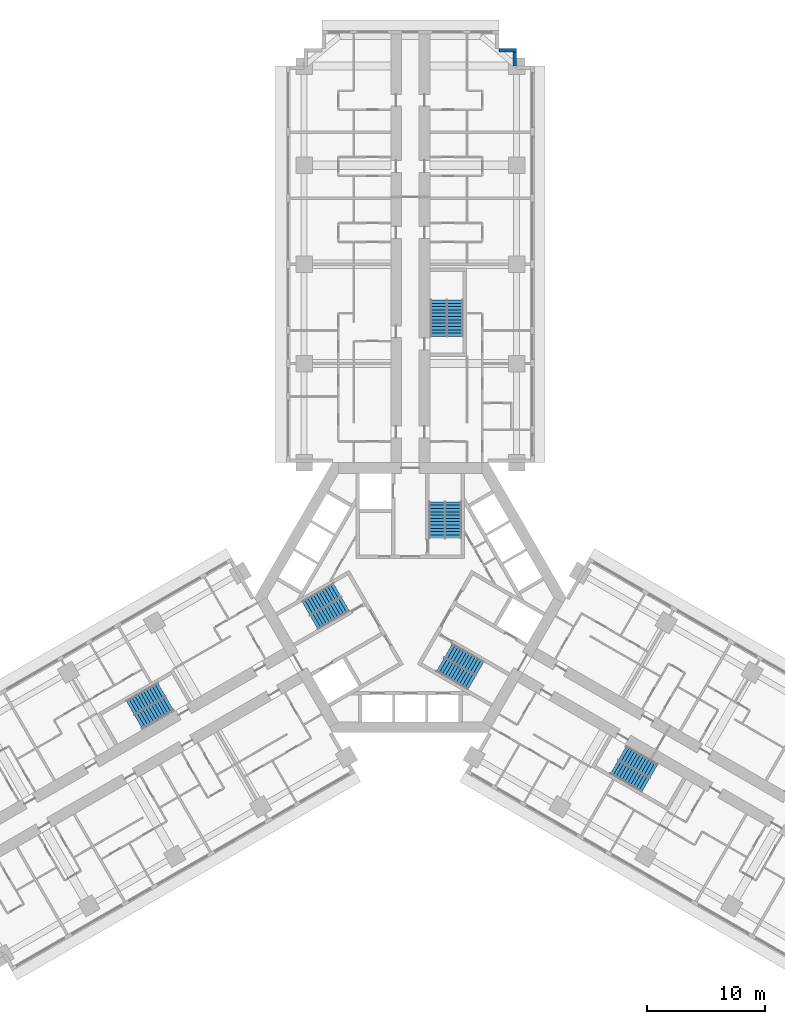
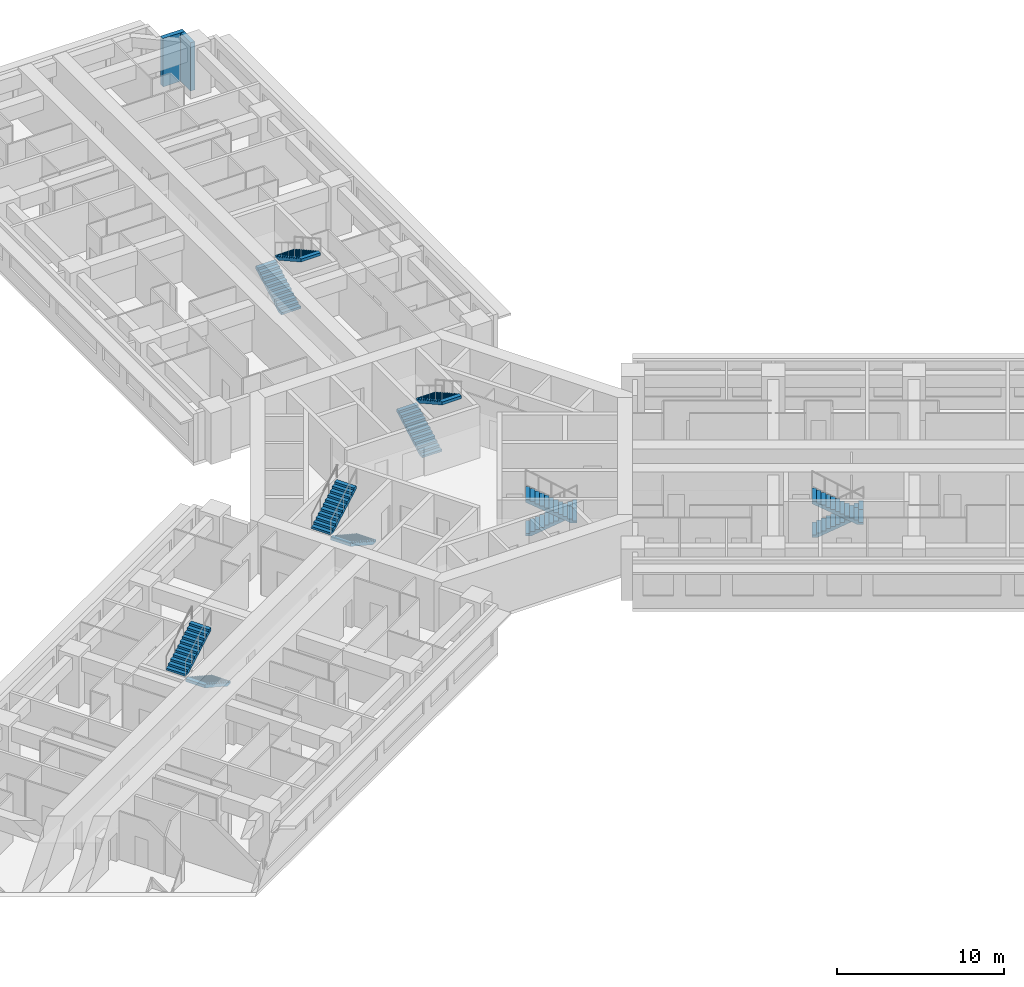
# One storey, part 15 of 16: 12 stair flights, 2 walls, 6 elements without a shape of their own.
"""IFC4 building model written with IfcOpenShell, lengths in metres."""

from ifc_helpers import new_model, si_unit, direction, frame, frame_2d, origin, place, context, subcontext, project, spatial, polyline, rectangle, outline, extrude, material, layer, layer_set, type_object, element, aggregate, save


model = new_model("IFC4")

# Units and contexts
model_context = context("Model", 3, precision=1e-05, world=origin(), true_north=direction((0.0, 1.0)))
body_context = subcontext(model_context, "Body", "Model", "MODEL_VIEW")
ifc_project = project(units=[si_unit("LENGTHUNIT", "METRE"), si_unit("AREAUNIT", "SQUARE_METRE"), si_unit("VOLUMEUNIT", "CUBIC_METRE"), si_unit("PLANEANGLEUNIT", "RADIAN"), si_unit("MASSUNIT", "GRAM", prefix="KILO")], contexts=[model_context])

# Site, building, storey
site_placement = place(None, origin())
site = spatial("IfcSite", under=ifc_project, at=site_placement, CompositionType="ELEMENT")
building_placement = place(site_placement, origin())
building = spatial("IfcBuilding", under=site, at=building_placement, Name="Impinga Residences", CompositionType="ELEMENT")
storey_placement = place(building_placement, frame((0.0, 0.0, 56.0)))
storey = spatial("IfcBuildingStorey", under=building, at=storey_placement, Name="L13", CompositionType="ELEMENT", Elevation=56.0)

# Walls
ifc_material_1 = material(Name="Terracotta rainscreen on blockwork", Category="masonry")
ifc_layer = layer(ifc_material_1, 0.300048828125)
ifc_layer_set = layer_set([ifc_layer], Name="EW1 external wall, terracotta rainscreen on blockwork 300")
wall_type = type_object("IfcWallType", Name="EW1 external wall, terracotta rainscreen on blockwork 300", PredefinedType="SOLIDWALL", material=ifc_layer_set)
wall_1_placement = place(storey_placement, frame((7.5, 46.381591796875, 0.0), z_axis=(0.0, 0.0, 1.0), x_axis=(1.0, 0.0, 0.0)))
element("IfcWall", 1, at=wall_1_placement, inside=storey, type_object=wall_type, Name="External wall EW1 L13", PredefinedType="SOLIDWALL", context=body_context, shape_type="SweptSolid", body=[
    extrude(rectangle(XDim=1.5, YDim=0.300048828125, at=frame_2d((0.75, 0.0))), origin(), (0.0, 0.0, 1.0), 3.530029296875),
])
wall_2_placement = place(storey_placement, frame((8.85009765625, 46.2314453125, 0.0), z_axis=(0.0, 0.0, 1.0), x_axis=(0.0, -1.0, 0.0)))
element("IfcWall", 2, at=wall_2_placement, inside=storey, type_object=wall_type, Name="External wall EW1 L13", PredefinedType="SOLIDWALL", context=body_context, shape_type="SweptSolid", body=[
    extrude(rectangle(XDim=1.199951171875, YDim=0.300048828125, at=frame_2d((0.60009765625, 0.0))), origin(), (0.0, 0.0, 1.0), 3.530029296875),
])

# Stair, stair flights
ifc_material_2 = material(Name="Concrete C40/50", Category="concrete")
stair_type_1 = type_object("IfcStairType", Name="STR core stair 3750 storey, 24 risers", PredefinedType="HALF_TURN_STAIR", material=ifc_material_2)
stair_1_placement = place(storey_placement, origin())
stair_1 = element("IfcStair", 3, at=stair_1_placement, inside=storey, type_object=stair_type_1, Name="Stair ST1 L13", PredefinedType="HALF_TURN_STAIR")
stair_flight_type = type_object("IfcStairFlightType", Name="SF 12 risers of 156", PredefinedType="STRAIGHT", material=ifc_material_2)
stair_flight_1_placement = place(storey_placement, frame((2.27490234375, 5.030029296875, 0.0), z_axis=(0.0, 0.0, 1.0), x_axis=(0.0, 1.0, 0.0)))
stair_flight_1 = element("IfcStairFlight", 4, at=stair_flight_1_placement, type_object=stair_flight_type, Name="ST1 flight 1", NumberOfRisers=12, NumberOfTreads=11, PredefinedType="STRAIGHT", RiserHeight=0.15625, TreadLength=0.28, context=body_context, shape_type="SweptSolid", body=[
    extrude(outline(polyline([(0.0, 0.0), (0.0, 0.15625), (0.280029296875, 0.15625), (0.280029296875, 0.3125), (0.56005859375, 0.3125), (0.56005859375, 0.46875), (0.840087890625, 0.46875), (0.840087890625, 0.625), (1.1201171875, 0.625), (1.1201171875, 0.78125), (1.39990234375, 0.78125), (1.39990234375, 0.9375), (1.679931640625, 0.9375), (1.679931640625, 1.09375), (1.9599609375, 1.09375), (1.9599609375, 1.25), (2.239990234375, 1.25), (2.239990234375, 1.40625), (2.52001953125, 1.40625), (2.52001953125, 1.5625), (2.800048828125, 1.5625), (2.800048828125, 1.71875), (3.080078125, 1.71875), (3.080078125, 1.875), (3.080078125, 1.5126953125), (0.369140625, 0.0), (0.0, 0.0)])), frame((0.0, 0.675048828125, 0.0), z_axis=(0.0, -1.0, 0.0), x_axis=(1.0, 0.0, 0.0)), (0.0, 0.0, 1.0), 1.35009765625),
])
stair_flight_2_placement = place(storey_placement, frame((3.625, 8.110107421875, 1.875), z_axis=(0.0, 0.0, 1.0), x_axis=(0.0, -1.0, 0.0)))
stair_flight_2 = element("IfcStairFlight", 5, at=stair_flight_2_placement, type_object=stair_flight_type, Name="ST1 flight 2", NumberOfRisers=12, NumberOfTreads=11, PredefinedType="STRAIGHT", RiserHeight=0.15625, TreadLength=0.28, context=body_context, shape_type="SweptSolid", body=[
    extrude(outline(polyline([(0.0, 0.0), (0.0, 0.15625), (0.280029296875, 0.15625), (0.280029296875, 0.3125), (0.56005859375, 0.3125), (0.56005859375, 0.46875), (0.840087890625, 0.46875), (0.840087890625, 0.625), (1.1201171875, 0.625), (1.1201171875, 0.78125), (1.39990234375, 0.78125), (1.39990234375, 0.9375), (1.679931640625, 0.9375), (1.679931640625, 1.09375), (1.9599609375, 1.09375), (1.9599609375, 1.25), (2.239990234375, 1.25), (2.239990234375, 1.40625), (2.52001953125, 1.40625), (2.52001953125, 1.5625), (2.800048828125, 1.5625), (2.800048828125, 1.71875), (3.080078125, 1.71875), (3.080078125, 1.875), (3.080078125, 1.5126953125), (0.369140625, 0.0), (0.0, 0.0)])), frame((0.0, 0.675048828125, 0.0), z_axis=(0.0, -1.0, 0.0), x_axis=(1.0, 0.0, 0.0)), (0.0, 0.0, 1.0), 1.35009765625),
])
aggregate(stair_1, [stair_flight_1, stair_flight_2])

stair_2_placement = place(storey_placement, origin())
stair_2 = element("IfcStair", 6, at=stair_2_placement, inside=storey, type_object=stair_type_1, Name="Stair ST2 L13", PredefinedType="HALF_TURN_STAIR")
stair_flight_3_placement = place(storey_placement, frame((-5.49365234375, -0.544677734375, 0.0), z_axis=(0.0, 0.0, 1.0), x_axis=(-0.866025403784, -0.5, 0.0)))
stair_flight_3 = element("IfcStairFlight", 7, at=stair_flight_3_placement, type_object=stair_flight_type, Name="ST2 flight 1", NumberOfRisers=12, NumberOfTreads=11, PredefinedType="STRAIGHT", RiserHeight=0.15625, TreadLength=0.28, context=body_context, shape_type="SweptSolid", body=[
    extrude(outline(polyline([(0.0, 0.0), (0.0, 0.15625), (0.280029296875, 0.15625), (0.280029296875, 0.3125), (0.56005859375, 0.3125), (0.56005859375, 0.46875), (0.840087890625, 0.46875), (0.840087890625, 0.625), (1.1201171875, 0.625), (1.1201171875, 0.78125), (1.39990234375, 0.78125), (1.39990234375, 0.9375), (1.679931640625, 0.9375), (1.679931640625, 1.09375), (1.9599609375, 1.09375), (1.9599609375, 1.25), (2.239990234375, 1.25), (2.239990234375, 1.40625), (2.52001953125, 1.40625), (2.52001953125, 1.5625), (2.800048828125, 1.5625), (2.800048828125, 1.71875), (3.080078125, 1.71875), (3.080078125, 1.875), (3.080078125, 1.5126953125), (0.369140625, 0.0), (0.0, 0.0)])), frame((0.0, 0.675048828125, 0.0), z_axis=(0.0, -1.0, 0.0), x_axis=(1.0, 0.0, 0.0)), (0.0, 0.0, 1.0), 1.35009765625),
])
stair_flight_4_placement = place(storey_placement, frame((-8.8359375, -0.915771484375, 1.875), z_axis=(0.0, 0.0, 1.0), x_axis=(0.866025403784, 0.5, 0.0)))
stair_flight_4 = element("IfcStairFlight", 8, at=stair_flight_4_placement, type_object=stair_flight_type, Name="ST2 flight 2", NumberOfRisers=12, NumberOfTreads=11, PredefinedType="STRAIGHT", RiserHeight=0.15625, TreadLength=0.28, context=body_context, shape_type="SweptSolid", body=[
    extrude(outline(polyline([(0.0, 0.0), (0.0, 0.15625), (0.280029296875, 0.15625), (0.280029296875, 0.3125), (0.56005859375, 0.3125), (0.56005859375, 0.46875), (0.840087890625, 0.46875), (0.840087890625, 0.625), (1.1201171875, 0.625), (1.1201171875, 0.78125), (1.39990234375, 0.78125), (1.39990234375, 0.9375), (1.679931640625, 0.9375), (1.679931640625, 1.09375), (1.9599609375, 1.09375), (1.9599609375, 1.25), (2.239990234375, 1.25), (2.239990234375, 1.40625), (2.52001953125, 1.40625), (2.52001953125, 1.5625), (2.800048828125, 1.5625), (2.800048828125, 1.71875), (3.080078125, 1.71875), (3.080078125, 1.875), (3.080078125, 1.5126953125), (0.369140625, 0.0), (0.0, 0.0)])), frame((0.0, 0.675048828125, 0.0), z_axis=(0.0, -1.0, 0.0), x_axis=(1.0, 0.0, 0.0)), (0.0, 0.0, 1.0), 1.35009765625),
])
aggregate(stair_2, [stair_flight_3, stair_flight_4])

stair_3_placement = place(storey_placement, origin())
stair_3 = element("IfcStair", 9, at=stair_3_placement, inside=storey, type_object=stair_type_1, Name="Stair ST3 L13", PredefinedType="HALF_TURN_STAIR")
stair_flight_5_placement = place(storey_placement, frame((3.218505859375, -4.485107421875, 0.0), z_axis=(0.0, 0.0, 1.0), x_axis=(0.866025403784, -0.5, 0.0)))
stair_flight_5 = element("IfcStairFlight", 10, at=stair_flight_5_placement, type_object=stair_flight_type, Name="ST3 flight 1", NumberOfRisers=12, NumberOfTreads=11, PredefinedType="STRAIGHT", RiserHeight=0.15625, TreadLength=0.28, context=body_context, shape_type="SweptSolid", body=[
    extrude(outline(polyline([(0.0, 0.0), (0.0, 0.15625), (0.280029296875, 0.15625), (0.280029296875, 0.3125), (0.56005859375, 0.3125), (0.56005859375, 0.46875), (0.840087890625, 0.46875), (0.840087890625, 0.625), (1.1201171875, 0.625), (1.1201171875, 0.78125), (1.39990234375, 0.78125), (1.39990234375, 0.9375), (1.679931640625, 0.9375), (1.679931640625, 1.09375), (1.9599609375, 1.09375), (1.9599609375, 1.25), (2.239990234375, 1.25), (2.239990234375, 1.40625), (2.52001953125, 1.40625), (2.52001953125, 1.5625), (2.800048828125, 1.5625), (2.800048828125, 1.71875), (3.080078125, 1.71875), (3.080078125, 1.875), (3.080078125, 1.5126953125), (0.369140625, 0.0), (0.0, 0.0)])), frame((0.0, 0.675048828125, 0.0), z_axis=(0.0, -1.0, 0.0), x_axis=(1.0, 0.0, 0.0)), (0.0, 0.0, 1.0), 1.35009765625),
])
stair_flight_6_placement = place(storey_placement, frame((5.2109375, -7.1943359375, 1.875), z_axis=(0.0, 0.0, 1.0), x_axis=(-0.866025403784, 0.5, 0.0)))
stair_flight_6 = element("IfcStairFlight", 11, at=stair_flight_6_placement, type_object=stair_flight_type, Name="ST3 flight 2", NumberOfRisers=12, NumberOfTreads=11, PredefinedType="STRAIGHT", RiserHeight=0.15625, TreadLength=0.28, context=body_context, shape_type="SweptSolid", body=[
    extrude(outline(polyline([(0.0, 0.0), (0.0, 0.15625), (0.280029296875, 0.15625), (0.280029296875, 0.3125), (0.56005859375, 0.3125), (0.56005859375, 0.46875), (0.840087890625, 0.46875), (0.840087890625, 0.625), (1.1201171875, 0.625), (1.1201171875, 0.78125), (1.39990234375, 0.78125), (1.39990234375, 0.9375), (1.679931640625, 0.9375), (1.679931640625, 1.09375), (1.9599609375, 1.09375), (1.9599609375, 1.25), (2.239990234375, 1.25), (2.239990234375, 1.40625), (2.52001953125, 1.40625), (2.52001953125, 1.5625), (2.800048828125, 1.5625), (2.800048828125, 1.71875), (3.080078125, 1.71875), (3.080078125, 1.875), (3.080078125, 1.5126953125), (0.369140625, 0.0), (0.0, 0.0)])), frame((0.0, 0.675048828125, 0.0), z_axis=(0.0, -1.0, 0.0), x_axis=(1.0, 0.0, 0.0)), (0.0, 0.0, 1.0), 1.35009765625),
])
aggregate(stair_3, [stair_flight_5, stair_flight_6])

stair_type_2 = type_object("IfcStairType", Name="STR wing stair 3750 storey, 24 risers", PredefinedType="HALF_TURN_STAIR", material=ifc_material_2)
stair_4_placement = place(storey_placement, origin())
stair_4 = element("IfcStair", 12, at=stair_4_placement, inside=storey, type_object=stair_type_2, Name="Stair WS1 L13", PredefinedType="HALF_TURN_STAIR")
stair_flight_7_placement = place(storey_placement, frame((2.425048828125, 22.131591796875, 0.0), z_axis=(0.0, 0.0, 1.0), x_axis=(0.0, 1.0, 0.0)))
stair_flight_7 = element("IfcStairFlight", 13, at=stair_flight_7_placement, type_object=stair_flight_type, Name="WS1 flight 1", NumberOfRisers=12, NumberOfTreads=11, PredefinedType="STRAIGHT", RiserHeight=0.15625, TreadLength=0.28, context=body_context, shape_type="SweptSolid", body=[
    extrude(outline(polyline([(0.0, 0.0), (0.0, 0.15625), (0.280029296875, 0.15625), (0.280029296875, 0.3125), (0.56005859375, 0.3125), (0.56005859375, 0.46875), (0.840087890625, 0.46875), (0.840087890625, 0.625), (1.1201171875, 0.625), (1.1201171875, 0.78125), (1.39990234375, 0.78125), (1.39990234375, 0.9375), (1.679931640625, 0.9375), (1.679931640625, 1.09375), (1.9599609375, 1.09375), (1.9599609375, 1.25), (2.239990234375, 1.25), (2.239990234375, 1.40625), (2.52001953125, 1.40625), (2.52001953125, 1.5625), (2.800048828125, 1.5625), (2.800048828125, 1.71875), (3.080078125, 1.71875), (3.080078125, 1.875), (3.080078125, 1.5126953125), (0.369140625, 0.0), (0.0, 0.0)])), frame((0.0, 0.675048828125, 0.0), z_axis=(0.0, -1.0, 0.0), x_axis=(1.0, 0.0, 0.0)), (0.0, 0.0, 1.0), 1.35009765625),
])
stair_flight_8_placement = place(storey_placement, frame((3.77490234375, 25.21142578125, 1.875), z_axis=(0.0, 0.0, 1.0), x_axis=(0.0, -1.0, 0.0)))
stair_flight_8 = element("IfcStairFlight", 14, at=stair_flight_8_placement, type_object=stair_flight_type, Name="WS1 flight 2", NumberOfRisers=12, NumberOfTreads=11, PredefinedType="STRAIGHT", RiserHeight=0.15625, TreadLength=0.28, context=body_context, shape_type="SweptSolid", body=[
    extrude(outline(polyline([(0.0, 0.0), (0.0, 0.15625), (0.280029296875, 0.15625), (0.280029296875, 0.3125), (0.56005859375, 0.3125), (0.56005859375, 0.46875), (0.840087890625, 0.46875), (0.840087890625, 0.625), (1.1201171875, 0.625), (1.1201171875, 0.78125), (1.39990234375, 0.78125), (1.39990234375, 0.9375), (1.679931640625, 0.9375), (1.679931640625, 1.09375), (1.9599609375, 1.09375), (1.9599609375, 1.25), (2.239990234375, 1.25), (2.239990234375, 1.40625), (2.52001953125, 1.40625), (2.52001953125, 1.5625), (2.800048828125, 1.5625), (2.800048828125, 1.71875), (3.080078125, 1.71875), (3.080078125, 1.875), (3.080078125, 1.5126953125), (0.369140625, 0.0), (0.0, 0.0)])), frame((0.0, 0.675048828125, 0.0), z_axis=(0.0, -1.0, 0.0), x_axis=(1.0, 0.0, 0.0)), (0.0, 0.0, 1.0), 1.35009765625),
])
aggregate(stair_4, [stair_flight_7, stair_flight_8])

stair_5_placement = place(storey_placement, origin())
stair_5 = element("IfcStair", 15, at=stair_5_placement, inside=storey, type_object=stair_type_2, Name="Stair WS2 L13", PredefinedType="HALF_TURN_STAIR")
stair_flight_9_placement = place(storey_placement, frame((-20.37890625, -8.965576171875, 0.0), z_axis=(0.0, 0.0, 1.0), x_axis=(-0.866025403784, -0.5, 0.0)))
stair_flight_9 = element("IfcStairFlight", 16, at=stair_flight_9_placement, type_object=stair_flight_type, Name="WS2 flight 1", NumberOfRisers=12, NumberOfTreads=11, PredefinedType="STRAIGHT", RiserHeight=0.15625, TreadLength=0.28, context=body_context, shape_type="SweptSolid", body=[
    extrude(outline(polyline([(0.0, 0.0), (0.0, 0.15625), (0.280029296875, 0.15625), (0.280029296875, 0.3125), (0.56005859375, 0.3125), (0.56005859375, 0.46875), (0.840087890625, 0.46875), (0.840087890625, 0.625), (1.1201171875, 0.625), (1.1201171875, 0.78125), (1.39990234375, 0.78125), (1.39990234375, 0.9375), (1.679931640625, 0.9375), (1.679931640625, 1.09375), (1.9599609375, 1.09375), (1.9599609375, 1.25), (2.239990234375, 1.25), (2.239990234375, 1.40625), (2.52001953125, 1.40625), (2.52001953125, 1.5625), (2.800048828125, 1.5625), (2.800048828125, 1.71875), (3.080078125, 1.71875), (3.080078125, 1.875), (3.080078125, 1.5126953125), (0.369140625, 0.0), (0.0, 0.0)])), frame((0.0, 0.675048828125, 0.0), z_axis=(0.0, -1.0, 0.0), x_axis=(1.0, 0.0, 0.0)), (0.0, 0.0, 1.0), 1.35009765625),
])
stair_flight_10_placement = place(storey_placement, frame((-23.721435546875, -9.33642578125, 1.875), z_axis=(0.0, 0.0, 1.0), x_axis=(0.866025403784, 0.5, 0.0)))
stair_flight_10 = element("IfcStairFlight", 17, at=stair_flight_10_placement, type_object=stair_flight_type, Name="WS2 flight 2", NumberOfRisers=12, NumberOfTreads=11, PredefinedType="STRAIGHT", RiserHeight=0.15625, TreadLength=0.28, context=body_context, shape_type="SweptSolid", body=[
    extrude(outline(polyline([(0.0, 0.0), (0.0, 0.15625), (0.280029296875, 0.15625), (0.280029296875, 0.3125), (0.56005859375, 0.3125), (0.56005859375, 0.46875), (0.840087890625, 0.46875), (0.840087890625, 0.625), (1.1201171875, 0.625), (1.1201171875, 0.78125), (1.39990234375, 0.78125), (1.39990234375, 0.9375), (1.679931640625, 0.9375), (1.679931640625, 1.09375), (1.9599609375, 1.09375), (1.9599609375, 1.25), (2.239990234375, 1.25), (2.239990234375, 1.40625), (2.52001953125, 1.40625), (2.52001953125, 1.5625), (2.800048828125, 1.5625), (2.800048828125, 1.71875), (3.080078125, 1.71875), (3.080078125, 1.875), (3.080078125, 1.5126953125), (0.369140625, 0.0), (0.0, 0.0)])), frame((0.0, 0.675048828125, 0.0), z_axis=(0.0, -1.0, 0.0), x_axis=(1.0, 0.0, 0.0)), (0.0, 0.0, 1.0), 1.35009765625),
])
aggregate(stair_5, [stair_flight_9, stair_flight_10])

stair_6_placement = place(storey_placement, origin())
stair_6 = element("IfcStair", 18, at=stair_6_placement, inside=storey, type_object=stair_type_2, Name="Stair WS3 L13", PredefinedType="HALF_TURN_STAIR")
stair_flight_11_placement = place(storey_placement, frame((17.953857421875, -13.165771484375, 0.0), z_axis=(0.0, 0.0, 1.0), x_axis=(0.866025403784, -0.5, 0.0)))
stair_flight_11 = element("IfcStairFlight", 19, at=stair_flight_11_placement, type_object=stair_flight_type, Name="WS3 flight 1", NumberOfRisers=12, NumberOfTreads=11, PredefinedType="STRAIGHT", RiserHeight=0.15625, TreadLength=0.28, context=body_context, shape_type="SweptSolid", body=[
    extrude(outline(polyline([(0.0, 0.0), (0.0, 0.15625), (0.280029296875, 0.15625), (0.280029296875, 0.3125), (0.56005859375, 0.3125), (0.56005859375, 0.46875), (0.840087890625, 0.46875), (0.840087890625, 0.625), (1.1201171875, 0.625), (1.1201171875, 0.78125), (1.39990234375, 0.78125), (1.39990234375, 0.9375), (1.679931640625, 0.9375), (1.679931640625, 1.09375), (1.9599609375, 1.09375), (1.9599609375, 1.25), (2.239990234375, 1.25), (2.239990234375, 1.40625), (2.52001953125, 1.40625), (2.52001953125, 1.5625), (2.800048828125, 1.5625), (2.800048828125, 1.71875), (3.080078125, 1.71875), (3.080078125, 1.875), (3.080078125, 1.5126953125), (0.369140625, 0.0), (0.0, 0.0)])), frame((0.0, 0.675048828125, 0.0), z_axis=(0.0, -1.0, 0.0), x_axis=(1.0, 0.0, 0.0)), (0.0, 0.0, 1.0), 1.35009765625),
])
stair_flight_12_placement = place(storey_placement, frame((19.9462890625, -15.875, 1.875), z_axis=(0.0, 0.0, 1.0), x_axis=(-0.866025403784, 0.5, 0.0)))
stair_flight_12 = element("IfcStairFlight", 20, at=stair_flight_12_placement, type_object=stair_flight_type, Name="WS3 flight 2", NumberOfRisers=12, NumberOfTreads=11, PredefinedType="STRAIGHT", RiserHeight=0.15625, TreadLength=0.28, context=body_context, shape_type="SweptSolid", body=[
    extrude(outline(polyline([(0.0, 0.0), (0.0, 0.15625), (0.280029296875, 0.15625), (0.280029296875, 0.3125), (0.56005859375, 0.3125), (0.56005859375, 0.46875), (0.840087890625, 0.46875), (0.840087890625, 0.625), (1.1201171875, 0.625), (1.1201171875, 0.78125), (1.39990234375, 0.78125), (1.39990234375, 0.9375), (1.679931640625, 0.9375), (1.679931640625, 1.09375), (1.9599609375, 1.09375), (1.9599609375, 1.25), (2.239990234375, 1.25), (2.239990234375, 1.40625), (2.52001953125, 1.40625), (2.52001953125, 1.5625), (2.800048828125, 1.5625), (2.800048828125, 1.71875), (3.080078125, 1.71875), (3.080078125, 1.875), (3.080078125, 1.5126953125), (0.369140625, 0.0), (0.0, 0.0)])), frame((0.0, 0.675048828125, 0.0), z_axis=(0.0, -1.0, 0.0), x_axis=(1.0, 0.0, 0.0)), (0.0, 0.0, 1.0), 1.35009765625),
])
aggregate(stair_6, [stair_flight_11, stair_flight_12])

save(model, "model.ifc")
